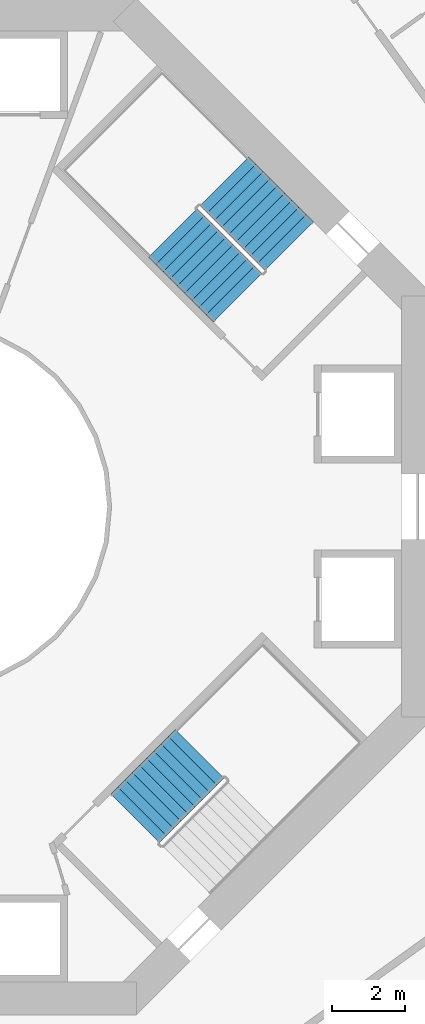
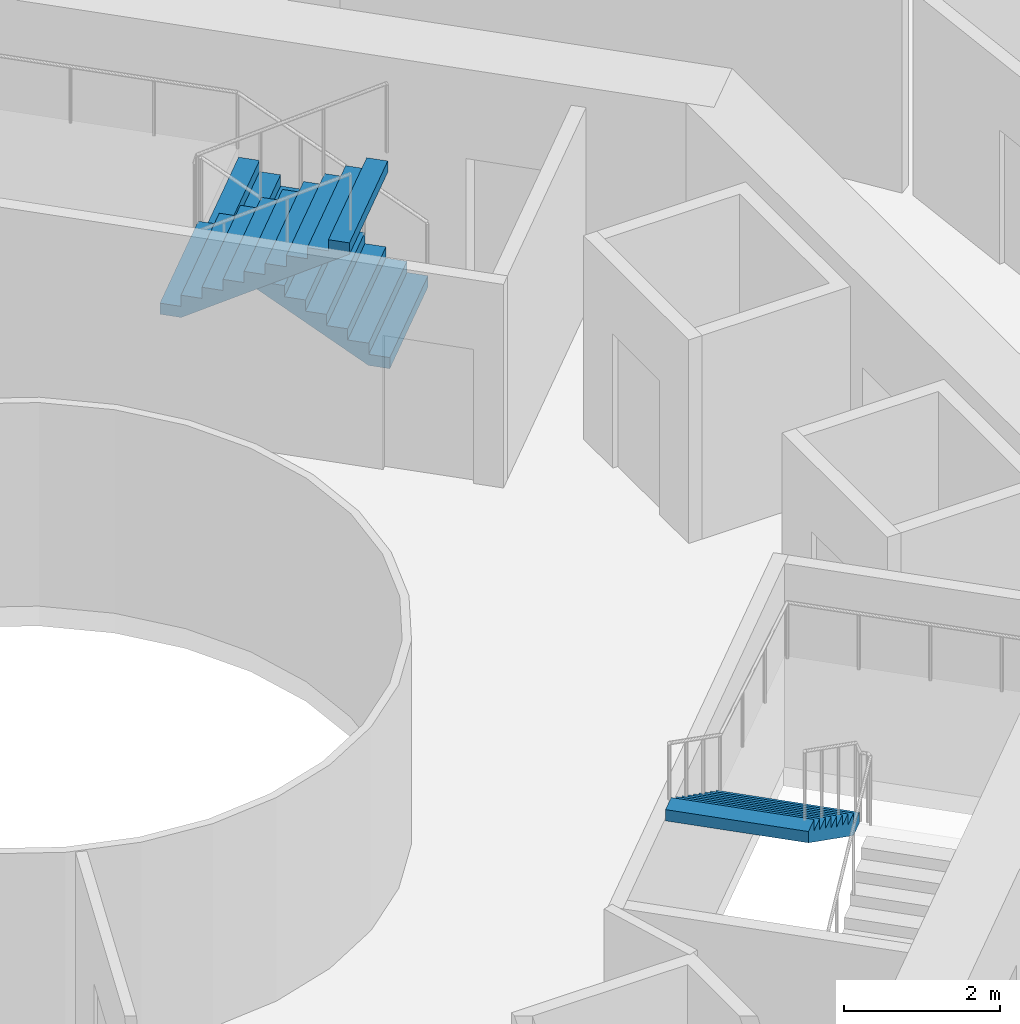
# One storey, part 25 of 26: 3 stair flights, 2 elements without a shape of their own.
"""IFC4 building model written with IfcOpenShell, lengths in metres."""

from ifc_helpers import new_model, si_unit, direction, frame, origin, place, context, subcontext, project, spatial, triangles, material, type_object, element, aggregate, save


model = new_model("IFC4")

# Units and contexts
model_context = context("Model", 3, precision=1e-05, world=origin(), true_north=direction((0.0, 1.0)))
body_context = subcontext(model_context, "Body", "Model", "MODEL_VIEW")
ifc_project = project(units=[si_unit("LENGTHUNIT", "METRE"), si_unit("AREAUNIT", "SQUARE_METRE"), si_unit("VOLUMEUNIT", "CUBIC_METRE"), si_unit("PLANEANGLEUNIT", "RADIAN"), si_unit("MASSUNIT", "GRAM", prefix="KILO")], contexts=[model_context])

# Site, building, storey
site_placement = place(None, origin())
site = spatial("IfcSite", under=ifc_project, at=site_placement, CompositionType="ELEMENT")
building_placement = place(site_placement, origin())
building = spatial("IfcBuilding", under=site, at=building_placement, Name="Verdalira Terraces Hotel", CompositionType="ELEMENT")
storey_placement = place(building_placement, frame((0.0, 0.0, 56.5)))
storey = spatial("IfcBuildingStorey", under=building, at=storey_placement, Name="L12", CompositionType="ELEMENT", Elevation=56.5)

# Stair, stair flights
ifc_material_1 = material(Name="Concrete C40", Category="concrete")
stair_type = type_object("IfcStairType", Name="Core stair 20 risers 1900 mm wide", PredefinedType="HALF_TURN_STAIR", material=ifc_material_1)
stair_1_placement = place(storey_placement, origin())
stair_1 = element("IfcStair", 1, at=stair_1_placement, inside=storey, type_object=stair_type, Name="L12 Exit stair ST1", PredefinedType="HALF_TURN_STAIR")
ifc_material_2 = material(Name="Concrete C40", Category="concrete")
stair_flight_type = type_object("IfcStairFlightType", Name="Core stair flight 20 risers 1900 mm wide", PredefinedType="STRAIGHT", material=ifc_material_2)
stair_flight_1_placement = place(storey_placement, frame((10.005615, 7.177246, 0.0), z_axis=(0.0, 0.0, 1.0), x_axis=(-0.707106781, 0.707106781, 0.0)))
stair_flight_1 = element("IfcStairFlight", 2, at=stair_flight_1_placement, type_object=stair_flight_type, Name="ST1 flight 1", NumberOfRisers=10, NumberOfTreads=9, PredefinedType="STRAIGHT", RiserHeight=0.175, TreadLength=0.28, context=body_context, shape_type="Tessellation", body=[
    triangles([(0.0, 0.949951, 0.0), (0.282715, 0.949951, 0.0), (2.52002, 0.949951, 1.398193), (0.0, -0.949951, 0.0), (0.282715, -0.949951, 0.0), (2.52002, -0.949951, 1.398193), (2.52002, 0.949951, 1.574951), (2.23999, 0.949951, 1.574951), (2.52002, -0.949951, 1.574951), (2.23999, -0.949951, 1.574951), (2.23999, 0.949951, 1.399902), (2.23999, -0.949951, 1.399902), (1.959961, 0.949951, 1.399902), (1.959961, -0.949951, 1.399902), (1.959961, 0.949951, 1.225098), (1.959961, -0.949951, 1.225098), (1.679932, 0.949951, 1.225098), (1.679932, 0.949951, 1.050049), (1.679932, -0.949951, 1.225098), (1.679932, -0.949951, 1.050049), (1.399902, 0.949951, 1.050049), (1.399902, 0.949951, 0.875), (1.399902, -0.949951, 1.050049), (1.399902, -0.949951, 0.875), (1.120117, 0.949951, 0.875), (1.120117, 0.949951, 0.699951), (1.120117, -0.949951, 0.875), (1.120117, -0.949951, 0.699951), (0.840088, 0.949951, 0.699951), (0.840088, 0.949951, 0.524902), (0.840088, -0.949951, 0.699951), (0.840088, -0.949951, 0.524902), (0.560059, 0.949951, 0.524902), (0.560059, 0.949951, 0.350098), (0.560059, -0.949951, 0.524902), (0.560059, -0.949951, 0.350098), (0.280029, 0.949951, 0.350098), (0.280029, 0.949951, 0.175049), (0.280029, -0.949951, 0.350098), (0.280029, -0.949951, 0.175049), (0.0, 0.949951, 0.175049), (0.0, -0.949951, 0.175049), (0.0, -0.890579, 0.0), (0.0, -0.890579, 0.175049), (0.0, -0.831207, 0.0), (0.0, -0.831207, 0.175049), (0.0, -0.771835, 0.0), (0.0, -0.771835, 0.175049), (0.0, -0.712463, 0.0), (0.0, -0.712463, 0.175049), (0.0, -0.653091, 0.0), (0.0, -0.653091, 0.175049), (0.0, -0.593719, 0.0), (0.0, -0.593719, 0.175049), (0.0, -0.534348, 0.0), (0.0, -0.534348, 0.175049), (0.0, -0.474976, 0.0), (0.0, -0.474976, 0.175049), (0.0, -0.415604, 0.0), (0.0, -0.415604, 0.175049), (0.0, -0.356232, 0.0), (0.0, -0.356232, 0.175049), (0.0, -0.29686, 0.0), (0.0, -0.29686, 0.175049), (0.0, -0.237488, 0.0), (0.0, -0.237488, 0.175049), (0.0, -0.178116, 0.0), (0.0, -0.178116, 0.175049), (0.0, -0.118744, 0.0), (0.0, -0.118744, 0.175049), (0.0, -0.059372, 0.0), (0.0, -0.059372, 0.175049), (0.0, 0.0, 0.0), (0.0, 0.0, 0.175049), (0.0, 0.059372, 0.0), (0.0, 0.059372, 0.175049), (0.0, 0.118744, 0.0), (0.0, 0.118744, 0.175049), (0.0, 0.178116, 0.0), (0.0, 0.178116, 0.175049), (0.0, 0.237488, 0.0), (0.0, 0.237488, 0.175049), (0.0, 0.29686, 0.0), (0.0, 0.29686, 0.175049), (0.0, 0.356232, 0.0), (0.0, 0.356232, 0.175049), (0.0, 0.415604, 0.0), (0.0, 0.415604, 0.175049), (0.0, 0.474976, 0.0), (0.0, 0.474976, 0.175049), (0.0, 0.534348, 0.0), (0.0, 0.534348, 0.175049), (0.0, 0.593719, 0.0), (0.0, 0.593719, 0.175049), (0.0, 0.653091, 0.0), (0.0, 0.653091, 0.175049), (0.0, 0.712463, 0.0), (0.0, 0.712463, 0.175049), (0.0, 0.771835, 0.0), (0.0, 0.771835, 0.175049), (0.0, 0.831207, 0.0), (0.0, 0.831207, 0.175049), (0.0, 0.890579, 0.0), (0.0, 0.890579, 0.175049), (2.52002, -0.890579, 1.574951), (2.52002, -0.831207, 1.574951), (2.52002, -0.771835, 1.574951), (2.52002, -0.712463, 1.574951), (2.52002, -0.653091, 1.574951), (2.52002, -0.593719, 1.574951), (2.52002, -0.534348, 1.574951), (2.52002, -0.474976, 1.574951), (2.52002, -0.415604, 1.574951), (2.52002, -0.356232, 1.574951), (2.52002, -0.29686, 1.574951), (2.52002, -0.237488, 1.574951), (2.52002, -0.178116, 1.574951), (2.52002, -0.118744, 1.574951), (2.52002, -0.059372, 1.574951), (2.52002, 0.0, 1.574951), (2.52002, 0.059372, 1.574951), (2.52002, 0.118744, 1.574951), (2.52002, 0.178116, 1.574951), (2.52002, 0.237488, 1.574951), (2.52002, 0.29686, 1.574951), (2.52002, 0.356232, 1.574951), (2.52002, 0.415604, 1.574951), (2.52002, 0.474976, 1.574951), (2.52002, 0.534348, 1.574951), (2.52002, 0.593719, 1.574951), (2.52002, 0.653091, 1.574951), (2.52002, 0.712463, 1.574951), (2.52002, 0.771835, 1.574951), (2.52002, 0.831207, 1.574951), (2.52002, 0.890579, 1.574951), (2.52002, -0.890579, 1.398193), (2.52002, -0.831207, 1.398193), (2.52002, -0.771835, 1.398193), (2.52002, -0.712463, 1.398193), (2.52002, -0.653091, 1.398193), (2.52002, -0.593719, 1.398193), (2.52002, -0.534348, 1.398193), (2.52002, -0.474976, 1.398193), (2.52002, -0.415604, 1.398193), (2.52002, -0.356232, 1.398193), (2.52002, -0.29686, 1.398193), (2.52002, -0.237488, 1.398193), (2.52002, -0.178116, 1.398193), (2.52002, -0.118744, 1.398193), (2.52002, -0.059372, 1.398193), (2.52002, 0.0, 1.398193), (2.52002, 0.059372, 1.398193), (2.52002, 0.118744, 1.398193), (2.52002, 0.178116, 1.398193), (2.52002, 0.237488, 1.398193), (2.52002, 0.29686, 1.398193), (2.52002, 0.356232, 1.398193), (2.52002, 0.415604, 1.398193), (2.52002, 0.474976, 1.398193), (2.52002, 0.534348, 1.398193), (2.52002, 0.593719, 1.398193), (2.52002, 0.653091, 1.398193), (2.52002, 0.712463, 1.398193), (2.52002, 0.771835, 1.398193), (2.52002, 0.831207, 1.398193), (2.52002, 0.890579, 1.398193)], [[1, 3, 2], [4, 5, 6], [3, 8, 7], [6, 9, 10], [3, 11, 8], [6, 10, 12], [3, 13, 11], [6, 12, 14], [3, 15, 13], [6, 14, 16], [15, 18, 17], [16, 19, 20], [3, 18, 15], [6, 16, 20], [18, 22, 21], [20, 23, 24], [3, 22, 18], [6, 20, 24], [22, 26, 25], [24, 27, 28], [3, 26, 22], [6, 24, 28], [26, 30, 29], [28, 31, 32], [3, 30, 26], [6, 28, 32], [1, 30, 3], [4, 6, 32], [30, 34, 33], [32, 35, 36], [34, 38, 37], [36, 39, 40], [30, 38, 34], [32, 36, 40], [1, 38, 30], [4, 32, 40], [38, 1, 41], [40, 42, 4], [4, 44, 43], [4, 42, 44], [43, 46, 45], [43, 44, 46], [45, 48, 47], [45, 46, 48], [47, 50, 49], [47, 48, 50], [49, 52, 51], [49, 50, 52], [51, 54, 53], [51, 52, 54], [53, 56, 55], [53, 54, 56], [55, 58, 57], [55, 56, 58], [57, 60, 59], [57, 58, 60], [59, 62, 61], [59, 60, 62], [61, 64, 63], [61, 62, 64], [63, 66, 65], [63, 64, 66], [65, 68, 67], [65, 66, 68], [67, 70, 69], [67, 68, 70], [69, 72, 71], [69, 70, 72], [71, 74, 73], [71, 72, 74], [73, 76, 75], [73, 74, 76], [75, 78, 77], [75, 76, 78], [77, 80, 79], [77, 78, 80], [79, 82, 81], [79, 80, 82], [81, 84, 83], [81, 82, 84], [83, 86, 85], [83, 84, 86], [85, 88, 87], [85, 86, 88], [87, 90, 89], [87, 88, 90], [89, 92, 91], [89, 90, 92], [91, 94, 93], [91, 92, 94], [93, 96, 95], [93, 94, 96], [95, 98, 97], [95, 96, 98], [97, 100, 99], [97, 98, 100], [99, 102, 101], [99, 100, 102], [101, 104, 103], [101, 102, 104], [103, 41, 1], [103, 104, 41], [42, 40, 44], [44, 40, 46], [46, 40, 48], [48, 40, 50], [50, 40, 52], [52, 40, 54], [54, 40, 56], [56, 40, 58], [58, 40, 60], [60, 40, 62], [62, 40, 64], [64, 40, 66], [66, 40, 68], [68, 40, 70], [70, 40, 72], [72, 40, 74], [74, 40, 76], [76, 40, 78], [78, 40, 80], [80, 40, 82], [82, 40, 84], [84, 40, 86], [86, 40, 88], [88, 40, 90], [90, 40, 92], [92, 40, 94], [94, 40, 96], [96, 40, 98], [98, 40, 100], [100, 40, 102], [102, 40, 104], [104, 40, 41], [41, 40, 38], [40, 37, 38], [40, 39, 37], [39, 34, 37], [39, 36, 34], [36, 33, 34], [36, 35, 33], [35, 30, 33], [35, 32, 30], [32, 29, 30], [32, 31, 29], [31, 26, 29], [31, 28, 26], [28, 25, 26], [28, 27, 25], [27, 22, 25], [27, 24, 22], [24, 21, 22], [24, 23, 21], [23, 18, 21], [23, 20, 18], [20, 17, 18], [20, 19, 17], [19, 15, 17], [19, 16, 15], [16, 13, 15], [16, 14, 13], [14, 11, 13], [14, 12, 11], [12, 8, 11], [12, 10, 8], [9, 105, 10], [105, 106, 10], [106, 107, 10], [107, 108, 10], [108, 109, 10], [109, 110, 10], [110, 111, 10], [111, 112, 10], [112, 113, 10], [113, 114, 10], [114, 115, 10], [115, 116, 10], [116, 117, 10], [117, 118, 10], [118, 119, 10], [119, 120, 10], [120, 121, 10], [121, 122, 10], [122, 123, 10], [123, 124, 10], [124, 125, 10], [125, 126, 10], [126, 127, 10], [127, 128, 10], [128, 129, 10], [129, 130, 10], [130, 131, 10], [131, 132, 10], [132, 133, 10], [133, 134, 10], [134, 135, 10], [135, 7, 10], [7, 8, 10], [9, 136, 105], [9, 6, 136], [105, 137, 106], [105, 136, 137], [106, 138, 107], [106, 137, 138], [107, 139, 108], [107, 138, 139], [108, 140, 109], [108, 139, 140], [109, 141, 110], [109, 140, 141], [110, 142, 111], [110, 141, 142], [111, 143, 112], [111, 142, 143], [112, 144, 113], [112, 143, 144], [113, 145, 114], [113, 144, 145], [114, 146, 115], [114, 145, 146], [115, 147, 116], [115, 146, 147], [116, 148, 117], [116, 147, 148], [117, 149, 118], [117, 148, 149], [118, 150, 119], [118, 149, 150], [119, 151, 120], [119, 150, 151], [120, 152, 121], [120, 151, 152], [121, 153, 122], [121, 152, 153], [122, 154, 123], [122, 153, 154], [123, 155, 124], [123, 154, 155], [124, 156, 125], [124, 155, 156], [125, 157, 126], [125, 156, 157], [126, 158, 127], [126, 157, 158], [127, 159, 128], [127, 158, 159], [128, 160, 129], [128, 159, 160], [129, 161, 130], [129, 160, 161], [130, 162, 131], [130, 161, 162], [131, 163, 132], [131, 162, 163], [132, 164, 133], [132, 163, 164], [133, 165, 134], [133, 164, 165], [134, 166, 135], [134, 165, 166], [135, 3, 7], [135, 166, 3], [6, 5, 136], [136, 5, 137], [137, 5, 138], [138, 5, 139], [139, 5, 140], [140, 5, 141], [141, 5, 142], [142, 5, 143], [143, 5, 144], [144, 5, 145], [145, 5, 146], [146, 5, 147], [147, 5, 148], [148, 5, 149], [149, 5, 150], [150, 5, 151], [151, 5, 152], [152, 5, 153], [153, 5, 154], [154, 5, 155], [155, 5, 156], [156, 5, 157], [157, 5, 158], [158, 5, 159], [159, 5, 160], [160, 5, 161], [161, 5, 162], [162, 5, 163], [163, 5, 164], [164, 5, 165], [165, 5, 166], [166, 5, 3], [3, 5, 2], [4, 43, 5], [43, 45, 5], [45, 47, 5], [47, 49, 5], [49, 51, 5], [51, 53, 5], [53, 55, 5], [55, 57, 5], [57, 59, 5], [59, 61, 5], [61, 63, 5], [63, 65, 5], [65, 67, 5], [67, 69, 5], [69, 71, 5], [71, 73, 5], [73, 75, 5], [75, 77, 5], [77, 79, 5], [79, 81, 5], [81, 83, 5], [83, 85, 5], [85, 87, 5], [87, 89, 5], [89, 91, 5], [91, 93, 5], [93, 95, 5], [95, 97, 5], [97, 99, 5], [99, 101, 5], [101, 103, 5], [103, 1, 5], [1, 2, 5]], closed=True),
])
stair_flight_2_placement = place(storey_placement, frame((6.809326, 7.544922, 1.75), z_axis=(0.0, 0.0, 1.0), x_axis=(0.707106781, -0.707106781, 0.0)))
stair_flight_2 = element("IfcStairFlight", 3, at=stair_flight_2_placement, type_object=stair_flight_type, Name="ST1 flight 2", NumberOfRisers=10, NumberOfTreads=9, PredefinedType="STRAIGHT", RiserHeight=0.175, TreadLength=0.28, context=body_context, shape_type="Tessellation", body=[
    triangles([(0.0, 0.949951, 0.0), (0.282715, 0.949951, 0.0), (2.52002, 0.949951, 1.398193), (0.0, -0.949951, 0.0), (0.282715, -0.949951, 0.0), (2.52002, -0.949951, 1.398193), (2.52002, 0.949951, 1.574951), (2.23999, 0.949951, 1.574951), (2.52002, -0.949951, 1.574951), (2.23999, -0.949951, 1.574951), (2.23999, 0.949951, 1.399902), (2.23999, -0.949951, 1.399902), (1.959961, 0.949951, 1.399902), (1.959961, -0.949951, 1.399902), (1.959961, 0.949951, 1.225098), (1.959961, -0.949951, 1.225098), (1.679932, 0.949951, 1.225098), (1.679932, 0.949951, 1.050049), (1.679932, -0.949951, 1.225098), (1.679932, -0.949951, 1.050049), (1.399902, 0.949951, 1.050049), (1.399902, 0.949951, 0.875), (1.399902, -0.949951, 1.050049), (1.399902, -0.949951, 0.875), (1.120117, 0.949951, 0.875), (1.120117, 0.949951, 0.699951), (1.120117, -0.949951, 0.875), (1.120117, -0.949951, 0.699951), (0.840088, 0.949951, 0.699951), (0.840088, 0.949951, 0.524902), (0.840088, -0.949951, 0.699951), (0.840088, -0.949951, 0.524902), (0.560059, 0.949951, 0.524902), (0.560059, 0.949951, 0.350098), (0.560059, -0.949951, 0.524902), (0.560059, -0.949951, 0.350098), (0.280029, 0.949951, 0.350098), (0.280029, 0.949951, 0.175049), (0.280029, -0.949951, 0.350098), (0.280029, -0.949951, 0.175049), (0.0, 0.949951, 0.175049), (0.0, -0.949951, 0.175049), (0.0, -0.890579, 0.0), (0.0, -0.890579, 0.175049), (0.0, -0.831207, 0.0), (0.0, -0.831207, 0.175049), (0.0, -0.771835, 0.0), (0.0, -0.771835, 0.175049), (0.0, -0.712463, 0.0), (0.0, -0.712463, 0.175049), (0.0, -0.653091, 0.0), (0.0, -0.653091, 0.175049), (0.0, -0.593719, 0.0), (0.0, -0.593719, 0.175049), (0.0, -0.534348, 0.0), (0.0, -0.534348, 0.175049), (0.0, -0.474976, 0.0), (0.0, -0.474976, 0.175049), (0.0, -0.415604, 0.0), (0.0, -0.415604, 0.175049), (0.0, -0.356232, 0.0), (0.0, -0.356232, 0.175049), (0.0, -0.29686, 0.0), (0.0, -0.29686, 0.175049), (0.0, -0.237488, 0.0), (0.0, -0.237488, 0.175049), (0.0, -0.178116, 0.0), (0.0, -0.178116, 0.175049), (0.0, -0.118744, 0.0), (0.0, -0.118744, 0.175049), (0.0, -0.059372, 0.0), (0.0, -0.059372, 0.175049), (0.0, 0.0, 0.0), (0.0, 0.0, 0.175049), (0.0, 0.059372, 0.0), (0.0, 0.059372, 0.175049), (0.0, 0.118744, 0.0), (0.0, 0.118744, 0.175049), (0.0, 0.178116, 0.0), (0.0, 0.178116, 0.175049), (0.0, 0.237488, 0.0), (0.0, 0.237488, 0.175049), (0.0, 0.29686, 0.0), (0.0, 0.29686, 0.175049), (0.0, 0.356232, 0.0), (0.0, 0.356232, 0.175049), (0.0, 0.415604, 0.0), (0.0, 0.415604, 0.175049), (0.0, 0.474976, 0.0), (0.0, 0.474976, 0.175049), (0.0, 0.534348, 0.0), (0.0, 0.534348, 0.175049), (0.0, 0.593719, 0.0), (0.0, 0.593719, 0.175049), (0.0, 0.653091, 0.0), (0.0, 0.653091, 0.175049), (0.0, 0.712463, 0.0), (0.0, 0.712463, 0.175049), (0.0, 0.771835, 0.0), (0.0, 0.771835, 0.175049), (0.0, 0.831207, 0.0), (0.0, 0.831207, 0.175049), (0.0, 0.890579, 0.0), (0.0, 0.890579, 0.175049), (2.52002, -0.890579, 1.574951), (2.52002, -0.831207, 1.574951), (2.52002, -0.771835, 1.574951), (2.52002, -0.712463, 1.574951), (2.52002, -0.653091, 1.574951), (2.52002, -0.593719, 1.574951), (2.52002, -0.534348, 1.574951), (2.52002, -0.474976, 1.574951), (2.52002, -0.415604, 1.574951), (2.52002, -0.356232, 1.574951), (2.52002, -0.29686, 1.574951), (2.52002, -0.237488, 1.574951), (2.52002, -0.178116, 1.574951), (2.52002, -0.118744, 1.574951), (2.52002, -0.059372, 1.574951), (2.52002, 0.0, 1.574951), (2.52002, 0.059372, 1.574951), (2.52002, 0.118744, 1.574951), (2.52002, 0.178116, 1.574951), (2.52002, 0.237488, 1.574951), (2.52002, 0.29686, 1.574951), (2.52002, 0.356232, 1.574951), (2.52002, 0.415604, 1.574951), (2.52002, 0.474976, 1.574951), (2.52002, 0.534348, 1.574951), (2.52002, 0.593719, 1.574951), (2.52002, 0.653091, 1.574951), (2.52002, 0.712463, 1.574951), (2.52002, 0.771835, 1.574951), (2.52002, 0.831207, 1.574951), (2.52002, 0.890579, 1.574951), (2.52002, -0.890579, 1.398193), (2.52002, -0.831207, 1.398193), (2.52002, -0.771835, 1.398193), (2.52002, -0.712463, 1.398193), (2.52002, -0.653091, 1.398193), (2.52002, -0.593719, 1.398193), (2.52002, -0.534348, 1.398193), (2.52002, -0.474976, 1.398193), (2.52002, -0.415604, 1.398193), (2.52002, -0.356232, 1.398193), (2.52002, -0.29686, 1.398193), (2.52002, -0.237488, 1.398193), (2.52002, -0.178116, 1.398193), (2.52002, -0.118744, 1.398193), (2.52002, -0.059372, 1.398193), (2.52002, 0.0, 1.398193), (2.52002, 0.059372, 1.398193), (2.52002, 0.118744, 1.398193), (2.52002, 0.178116, 1.398193), (2.52002, 0.237488, 1.398193), (2.52002, 0.29686, 1.398193), (2.52002, 0.356232, 1.398193), (2.52002, 0.415604, 1.398193), (2.52002, 0.474976, 1.398193), (2.52002, 0.534348, 1.398193), (2.52002, 0.593719, 1.398193), (2.52002, 0.653091, 1.398193), (2.52002, 0.712463, 1.398193), (2.52002, 0.771835, 1.398193), (2.52002, 0.831207, 1.398193), (2.52002, 0.890579, 1.398193)], [[1, 3, 2], [4, 5, 6], [3, 8, 7], [6, 9, 10], [3, 11, 8], [6, 10, 12], [3, 13, 11], [6, 12, 14], [3, 15, 13], [6, 14, 16], [15, 18, 17], [16, 19, 20], [3, 18, 15], [6, 16, 20], [18, 22, 21], [20, 23, 24], [3, 22, 18], [6, 20, 24], [22, 26, 25], [24, 27, 28], [3, 26, 22], [6, 24, 28], [26, 30, 29], [28, 31, 32], [3, 30, 26], [6, 28, 32], [1, 30, 3], [4, 6, 32], [30, 34, 33], [32, 35, 36], [34, 38, 37], [36, 39, 40], [30, 38, 34], [32, 36, 40], [1, 38, 30], [4, 32, 40], [38, 1, 41], [40, 42, 4], [4, 44, 43], [4, 42, 44], [43, 46, 45], [43, 44, 46], [45, 48, 47], [45, 46, 48], [47, 50, 49], [47, 48, 50], [49, 52, 51], [49, 50, 52], [51, 54, 53], [51, 52, 54], [53, 56, 55], [53, 54, 56], [55, 58, 57], [55, 56, 58], [57, 60, 59], [57, 58, 60], [59, 62, 61], [59, 60, 62], [61, 64, 63], [61, 62, 64], [63, 66, 65], [63, 64, 66], [65, 68, 67], [65, 66, 68], [67, 70, 69], [67, 68, 70], [69, 72, 71], [69, 70, 72], [71, 74, 73], [71, 72, 74], [73, 76, 75], [73, 74, 76], [75, 78, 77], [75, 76, 78], [77, 80, 79], [77, 78, 80], [79, 82, 81], [79, 80, 82], [81, 84, 83], [81, 82, 84], [83, 86, 85], [83, 84, 86], [85, 88, 87], [85, 86, 88], [87, 90, 89], [87, 88, 90], [89, 92, 91], [89, 90, 92], [91, 94, 93], [91, 92, 94], [93, 96, 95], [93, 94, 96], [95, 98, 97], [95, 96, 98], [97, 100, 99], [97, 98, 100], [99, 102, 101], [99, 100, 102], [101, 104, 103], [101, 102, 104], [103, 41, 1], [103, 104, 41], [42, 40, 44], [44, 40, 46], [46, 40, 48], [48, 40, 50], [50, 40, 52], [52, 40, 54], [54, 40, 56], [56, 40, 58], [58, 40, 60], [60, 40, 62], [62, 40, 64], [64, 40, 66], [66, 40, 68], [68, 40, 70], [70, 40, 72], [72, 40, 74], [74, 40, 76], [76, 40, 78], [78, 40, 80], [80, 40, 82], [82, 40, 84], [84, 40, 86], [86, 40, 88], [88, 40, 90], [90, 40, 92], [92, 40, 94], [94, 40, 96], [96, 40, 98], [98, 40, 100], [100, 40, 102], [102, 40, 104], [104, 40, 41], [41, 40, 38], [40, 37, 38], [40, 39, 37], [39, 34, 37], [39, 36, 34], [36, 33, 34], [36, 35, 33], [35, 30, 33], [35, 32, 30], [32, 29, 30], [32, 31, 29], [31, 26, 29], [31, 28, 26], [28, 25, 26], [28, 27, 25], [27, 22, 25], [27, 24, 22], [24, 21, 22], [24, 23, 21], [23, 18, 21], [23, 20, 18], [20, 17, 18], [20, 19, 17], [19, 15, 17], [19, 16, 15], [16, 13, 15], [16, 14, 13], [14, 11, 13], [14, 12, 11], [12, 8, 11], [12, 10, 8], [9, 105, 10], [105, 106, 10], [106, 107, 10], [107, 108, 10], [108, 109, 10], [109, 110, 10], [110, 111, 10], [111, 112, 10], [112, 113, 10], [113, 114, 10], [114, 115, 10], [115, 116, 10], [116, 117, 10], [117, 118, 10], [118, 119, 10], [119, 120, 10], [120, 121, 10], [121, 122, 10], [122, 123, 10], [123, 124, 10], [124, 125, 10], [125, 126, 10], [126, 127, 10], [127, 128, 10], [128, 129, 10], [129, 130, 10], [130, 131, 10], [131, 132, 10], [132, 133, 10], [133, 134, 10], [134, 135, 10], [135, 7, 10], [7, 8, 10], [9, 136, 105], [9, 6, 136], [105, 137, 106], [105, 136, 137], [106, 138, 107], [106, 137, 138], [107, 139, 108], [107, 138, 139], [108, 140, 109], [108, 139, 140], [109, 141, 110], [109, 140, 141], [110, 142, 111], [110, 141, 142], [111, 143, 112], [111, 142, 143], [112, 144, 113], [112, 143, 144], [113, 145, 114], [113, 144, 145], [114, 146, 115], [114, 145, 146], [115, 147, 116], [115, 146, 147], [116, 148, 117], [116, 147, 148], [117, 149, 118], [117, 148, 149], [118, 150, 119], [118, 149, 150], [119, 151, 120], [119, 150, 151], [120, 152, 121], [120, 151, 152], [121, 153, 122], [121, 152, 153], [122, 154, 123], [122, 153, 154], [123, 155, 124], [123, 154, 155], [124, 156, 125], [124, 155, 156], [125, 157, 126], [125, 156, 157], [126, 158, 127], [126, 157, 158], [127, 159, 128], [127, 158, 159], [128, 160, 129], [128, 159, 160], [129, 161, 130], [129, 160, 161], [130, 162, 131], [130, 161, 162], [131, 163, 132], [131, 162, 163], [132, 164, 133], [132, 163, 164], [133, 165, 134], [133, 164, 165], [134, 166, 135], [134, 165, 166], [135, 3, 7], [135, 166, 3], [6, 5, 136], [136, 5, 137], [137, 5, 138], [138, 5, 139], [139, 5, 140], [140, 5, 141], [141, 5, 142], [142, 5, 143], [143, 5, 144], [144, 5, 145], [145, 5, 146], [146, 5, 147], [147, 5, 148], [148, 5, 149], [149, 5, 150], [150, 5, 151], [151, 5, 152], [152, 5, 153], [153, 5, 154], [154, 5, 155], [155, 5, 156], [156, 5, 157], [157, 5, 158], [158, 5, 159], [159, 5, 160], [160, 5, 161], [161, 5, 162], [162, 5, 163], [163, 5, 164], [164, 5, 165], [165, 5, 166], [166, 5, 3], [3, 5, 2], [4, 43, 5], [43, 45, 5], [45, 47, 5], [47, 49, 5], [49, 51, 5], [51, 53, 5], [53, 55, 5], [55, 57, 5], [57, 59, 5], [59, 61, 5], [61, 63, 5], [63, 65, 5], [65, 67, 5], [67, 69, 5], [69, 71, 5], [71, 73, 5], [73, 75, 5], [75, 77, 5], [77, 79, 5], [79, 81, 5], [81, 83, 5], [83, 85, 5], [85, 87, 5], [87, 89, 5], [89, 91, 5], [91, 93, 5], [93, 95, 5], [95, 97, 5], [97, 99, 5], [99, 101, 5], [101, 103, 5], [103, 1, 5], [1, 2, 5]], closed=True),
])
aggregate(stair_1, [stair_flight_1, stair_flight_2])

# Stair, stair flight
stair_2_placement = place(storey_placement, origin())
stair_2 = element("IfcStair", 4, at=stair_2_placement, inside=storey, type_object=stair_type, Name="L12 Exit stair ST3", PredefinedType="HALF_TURN_STAIR")
stair_flight_3_placement = place(storey_placement, frame((7.544922, -6.809326, 1.75), z_axis=(0.0, 0.0, 1.0), x_axis=(-0.707106781, -0.707106781, 0.0)))
stair_flight_3 = element("IfcStairFlight", 5, at=stair_flight_3_placement, type_object=stair_flight_type, Name="ST3 flight 2", NumberOfRisers=10, NumberOfTreads=9, PredefinedType="STRAIGHT", RiserHeight=0.175, TreadLength=0.28, context=body_context, shape_type="Tessellation", body=[
    triangles([(0.0, 0.949951, 0.0), (0.282715, 0.949951, 0.0), (2.52002, 0.949951, 1.398193), (0.0, -0.949951, 0.0), (0.282715, -0.949951, 0.0), (2.52002, -0.949951, 1.398193), (2.52002, 0.949951, 1.574951), (2.23999, 0.949951, 1.574951), (2.52002, -0.949951, 1.574951), (2.23999, -0.949951, 1.574951), (2.23999, 0.949951, 1.399902), (2.23999, -0.949951, 1.399902), (1.959961, 0.949951, 1.399902), (1.959961, -0.949951, 1.399902), (1.959961, 0.949951, 1.225098), (1.959961, -0.949951, 1.225098), (1.679932, 0.949951, 1.225098), (1.679932, 0.949951, 1.050049), (1.679932, -0.949951, 1.225098), (1.679932, -0.949951, 1.050049), (1.399902, 0.949951, 1.050049), (1.399902, 0.949951, 0.875), (1.399902, -0.949951, 1.050049), (1.399902, -0.949951, 0.875), (1.120117, 0.949951, 0.875), (1.120117, 0.949951, 0.699951), (1.120117, -0.949951, 0.875), (1.120117, -0.949951, 0.699951), (0.840088, 0.949951, 0.699951), (0.840088, 0.949951, 0.524902), (0.840088, -0.949951, 0.699951), (0.840088, -0.949951, 0.524902), (0.560059, 0.949951, 0.524902), (0.560059, 0.949951, 0.350098), (0.560059, -0.949951, 0.524902), (0.560059, -0.949951, 0.350098), (0.280029, 0.949951, 0.350098), (0.280029, 0.949951, 0.175049), (0.280029, -0.949951, 0.350098), (0.280029, -0.949951, 0.175049), (0.0, 0.949951, 0.175049), (0.0, -0.949951, 0.175049), (0.0, -0.890579, 0.0), (0.0, -0.890579, 0.175049), (0.0, -0.831207, 0.0), (0.0, -0.831207, 0.175049), (0.0, -0.771835, 0.0), (0.0, -0.771835, 0.175049), (0.0, -0.712463, 0.0), (0.0, -0.712463, 0.175049), (0.0, -0.653091, 0.0), (0.0, -0.653091, 0.175049), (0.0, -0.593719, 0.0), (0.0, -0.593719, 0.175049), (0.0, -0.534348, 0.0), (0.0, -0.534348, 0.175049), (0.0, -0.474976, 0.0), (0.0, -0.474976, 0.175049), (0.0, -0.415604, 0.0), (0.0, -0.415604, 0.175049), (0.0, -0.356232, 0.0), (0.0, -0.356232, 0.175049), (0.0, -0.29686, 0.0), (0.0, -0.29686, 0.175049), (0.0, -0.237488, 0.0), (0.0, -0.237488, 0.175049), (0.0, -0.178116, 0.0), (0.0, -0.178116, 0.175049), (0.0, -0.118744, 0.0), (0.0, -0.118744, 0.175049), (0.0, -0.059372, 0.0), (0.0, -0.059372, 0.175049), (0.0, 0.0, 0.0), (0.0, 0.0, 0.175049), (0.0, 0.059372, 0.0), (0.0, 0.059372, 0.175049), (0.0, 0.118744, 0.0), (0.0, 0.118744, 0.175049), (0.0, 0.178116, 0.0), (0.0, 0.178116, 0.175049), (0.0, 0.237488, 0.0), (0.0, 0.237488, 0.175049), (0.0, 0.29686, 0.0), (0.0, 0.29686, 0.175049), (0.0, 0.356232, 0.0), (0.0, 0.356232, 0.175049), (0.0, 0.415604, 0.0), (0.0, 0.415604, 0.175049), (0.0, 0.474976, 0.0), (0.0, 0.474976, 0.175049), (0.0, 0.534348, 0.0), (0.0, 0.534348, 0.175049), (0.0, 0.593719, 0.0), (0.0, 0.593719, 0.175049), (0.0, 0.653091, 0.0), (0.0, 0.653091, 0.175049), (0.0, 0.712463, 0.0), (0.0, 0.712463, 0.175049), (0.0, 0.771835, 0.0), (0.0, 0.771835, 0.175049), (0.0, 0.831207, 0.0), (0.0, 0.831207, 0.175049), (0.0, 0.890579, 0.0), (0.0, 0.890579, 0.175049), (2.52002, -0.890579, 1.574951), (2.52002, -0.831207, 1.574951), (2.52002, -0.771835, 1.574951), (2.52002, -0.712463, 1.574951), (2.52002, -0.653091, 1.574951), (2.52002, -0.593719, 1.574951), (2.52002, -0.534348, 1.574951), (2.52002, -0.474976, 1.574951), (2.52002, -0.415604, 1.574951), (2.52002, -0.356232, 1.574951), (2.52002, -0.29686, 1.574951), (2.52002, -0.237488, 1.574951), (2.52002, -0.178116, 1.574951), (2.52002, -0.118744, 1.574951), (2.52002, -0.059372, 1.574951), (2.52002, 0.0, 1.574951), (2.52002, 0.059372, 1.574951), (2.52002, 0.118744, 1.574951), (2.52002, 0.178116, 1.574951), (2.52002, 0.237488, 1.574951), (2.52002, 0.29686, 1.574951), (2.52002, 0.356232, 1.574951), (2.52002, 0.415604, 1.574951), (2.52002, 0.474976, 1.574951), (2.52002, 0.534348, 1.574951), (2.52002, 0.593719, 1.574951), (2.52002, 0.653091, 1.574951), (2.52002, 0.712463, 1.574951), (2.52002, 0.771835, 1.574951), (2.52002, 0.831207, 1.574951), (2.52002, 0.890579, 1.574951), (2.52002, -0.890579, 1.398193), (2.52002, -0.831207, 1.398193), (2.52002, -0.771835, 1.398193), (2.52002, -0.712463, 1.398193), (2.52002, -0.653091, 1.398193), (2.52002, -0.593719, 1.398193), (2.52002, -0.534348, 1.398193), (2.52002, -0.474976, 1.398193), (2.52002, -0.415604, 1.398193), (2.52002, -0.356232, 1.398193), (2.52002, -0.29686, 1.398193), (2.52002, -0.237488, 1.398193), (2.52002, -0.178116, 1.398193), (2.52002, -0.118744, 1.398193), (2.52002, -0.059372, 1.398193), (2.52002, 0.0, 1.398193), (2.52002, 0.059372, 1.398193), (2.52002, 0.118744, 1.398193), (2.52002, 0.178116, 1.398193), (2.52002, 0.237488, 1.398193), (2.52002, 0.29686, 1.398193), (2.52002, 0.356232, 1.398193), (2.52002, 0.415604, 1.398193), (2.52002, 0.474976, 1.398193), (2.52002, 0.534348, 1.398193), (2.52002, 0.593719, 1.398193), (2.52002, 0.653091, 1.398193), (2.52002, 0.712463, 1.398193), (2.52002, 0.771835, 1.398193), (2.52002, 0.831207, 1.398193), (2.52002, 0.890579, 1.398193)], [[1, 3, 2], [4, 5, 6], [3, 8, 7], [6, 9, 10], [3, 11, 8], [6, 10, 12], [3, 13, 11], [6, 12, 14], [3, 15, 13], [6, 14, 16], [15, 18, 17], [16, 19, 20], [3, 18, 15], [6, 16, 20], [18, 22, 21], [20, 23, 24], [3, 22, 18], [6, 20, 24], [22, 26, 25], [24, 27, 28], [3, 26, 22], [6, 24, 28], [26, 30, 29], [28, 31, 32], [3, 30, 26], [6, 28, 32], [1, 30, 3], [4, 6, 32], [30, 34, 33], [32, 35, 36], [34, 38, 37], [36, 39, 40], [30, 38, 34], [32, 36, 40], [1, 38, 30], [4, 32, 40], [38, 1, 41], [40, 42, 4], [4, 44, 43], [4, 42, 44], [43, 46, 45], [43, 44, 46], [45, 48, 47], [45, 46, 48], [47, 50, 49], [47, 48, 50], [49, 52, 51], [49, 50, 52], [51, 54, 53], [51, 52, 54], [53, 56, 55], [53, 54, 56], [55, 58, 57], [55, 56, 58], [57, 60, 59], [57, 58, 60], [59, 62, 61], [59, 60, 62], [61, 64, 63], [61, 62, 64], [63, 66, 65], [63, 64, 66], [65, 68, 67], [65, 66, 68], [67, 70, 69], [67, 68, 70], [69, 72, 71], [69, 70, 72], [71, 74, 73], [71, 72, 74], [73, 76, 75], [73, 74, 76], [75, 78, 77], [75, 76, 78], [77, 80, 79], [77, 78, 80], [79, 82, 81], [79, 80, 82], [81, 84, 83], [81, 82, 84], [83, 86, 85], [83, 84, 86], [85, 88, 87], [85, 86, 88], [87, 90, 89], [87, 88, 90], [89, 92, 91], [89, 90, 92], [91, 94, 93], [91, 92, 94], [93, 96, 95], [93, 94, 96], [95, 98, 97], [95, 96, 98], [97, 100, 99], [97, 98, 100], [99, 102, 101], [99, 100, 102], [101, 104, 103], [101, 102, 104], [103, 41, 1], [103, 104, 41], [42, 40, 44], [44, 40, 46], [46, 40, 48], [48, 40, 50], [50, 40, 52], [52, 40, 54], [54, 40, 56], [56, 40, 58], [58, 40, 60], [60, 40, 62], [62, 40, 64], [64, 40, 66], [66, 40, 68], [68, 40, 70], [70, 40, 72], [72, 40, 74], [74, 40, 76], [76, 40, 78], [78, 40, 80], [80, 40, 82], [82, 40, 84], [84, 40, 86], [86, 40, 88], [88, 40, 90], [90, 40, 92], [92, 40, 94], [94, 40, 96], [96, 40, 98], [98, 40, 100], [100, 40, 102], [102, 40, 104], [104, 40, 41], [41, 40, 38], [40, 37, 38], [40, 39, 37], [39, 34, 37], [39, 36, 34], [36, 33, 34], [36, 35, 33], [35, 30, 33], [35, 32, 30], [32, 29, 30], [32, 31, 29], [31, 26, 29], [31, 28, 26], [28, 25, 26], [28, 27, 25], [27, 22, 25], [27, 24, 22], [24, 21, 22], [24, 23, 21], [23, 18, 21], [23, 20, 18], [20, 17, 18], [20, 19, 17], [19, 15, 17], [19, 16, 15], [16, 13, 15], [16, 14, 13], [14, 11, 13], [14, 12, 11], [12, 8, 11], [12, 10, 8], [9, 105, 10], [105, 106, 10], [106, 107, 10], [107, 108, 10], [108, 109, 10], [109, 110, 10], [110, 111, 10], [111, 112, 10], [112, 113, 10], [113, 114, 10], [114, 115, 10], [115, 116, 10], [116, 117, 10], [117, 118, 10], [118, 119, 10], [119, 120, 10], [120, 121, 10], [121, 122, 10], [122, 123, 10], [123, 124, 10], [124, 125, 10], [125, 126, 10], [126, 127, 10], [127, 128, 10], [128, 129, 10], [129, 130, 10], [130, 131, 10], [131, 132, 10], [132, 133, 10], [133, 134, 10], [134, 135, 10], [135, 7, 10], [7, 8, 10], [9, 136, 105], [9, 6, 136], [105, 137, 106], [105, 136, 137], [106, 138, 107], [106, 137, 138], [107, 139, 108], [107, 138, 139], [108, 140, 109], [108, 139, 140], [109, 141, 110], [109, 140, 141], [110, 142, 111], [110, 141, 142], [111, 143, 112], [111, 142, 143], [112, 144, 113], [112, 143, 144], [113, 145, 114], [113, 144, 145], [114, 146, 115], [114, 145, 146], [115, 147, 116], [115, 146, 147], [116, 148, 117], [116, 147, 148], [117, 149, 118], [117, 148, 149], [118, 150, 119], [118, 149, 150], [119, 151, 120], [119, 150, 151], [120, 152, 121], [120, 151, 152], [121, 153, 122], [121, 152, 153], [122, 154, 123], [122, 153, 154], [123, 155, 124], [123, 154, 155], [124, 156, 125], [124, 155, 156], [125, 157, 126], [125, 156, 157], [126, 158, 127], [126, 157, 158], [127, 159, 128], [127, 158, 159], [128, 160, 129], [128, 159, 160], [129, 161, 130], [129, 160, 161], [130, 162, 131], [130, 161, 162], [131, 163, 132], [131, 162, 163], [132, 164, 133], [132, 163, 164], [133, 165, 134], [133, 164, 165], [134, 166, 135], [134, 165, 166], [135, 3, 7], [135, 166, 3], [6, 5, 136], [136, 5, 137], [137, 5, 138], [138, 5, 139], [139, 5, 140], [140, 5, 141], [141, 5, 142], [142, 5, 143], [143, 5, 144], [144, 5, 145], [145, 5, 146], [146, 5, 147], [147, 5, 148], [148, 5, 149], [149, 5, 150], [150, 5, 151], [151, 5, 152], [152, 5, 153], [153, 5, 154], [154, 5, 155], [155, 5, 156], [156, 5, 157], [157, 5, 158], [158, 5, 159], [159, 5, 160], [160, 5, 161], [161, 5, 162], [162, 5, 163], [163, 5, 164], [164, 5, 165], [165, 5, 166], [166, 5, 3], [3, 5, 2], [4, 43, 5], [43, 45, 5], [45, 47, 5], [47, 49, 5], [49, 51, 5], [51, 53, 5], [53, 55, 5], [55, 57, 5], [57, 59, 5], [59, 61, 5], [61, 63, 5], [63, 65, 5], [65, 67, 5], [67, 69, 5], [69, 71, 5], [71, 73, 5], [73, 75, 5], [75, 77, 5], [77, 79, 5], [79, 81, 5], [81, 83, 5], [83, 85, 5], [85, 87, 5], [87, 89, 5], [89, 91, 5], [91, 93, 5], [93, 95, 5], [95, 97, 5], [97, 99, 5], [99, 101, 5], [101, 103, 5], [103, 1, 5], [1, 2, 5]], closed=True),
])
aggregate(stair_2, [stair_flight_3])

save(model, "model.ifc")
